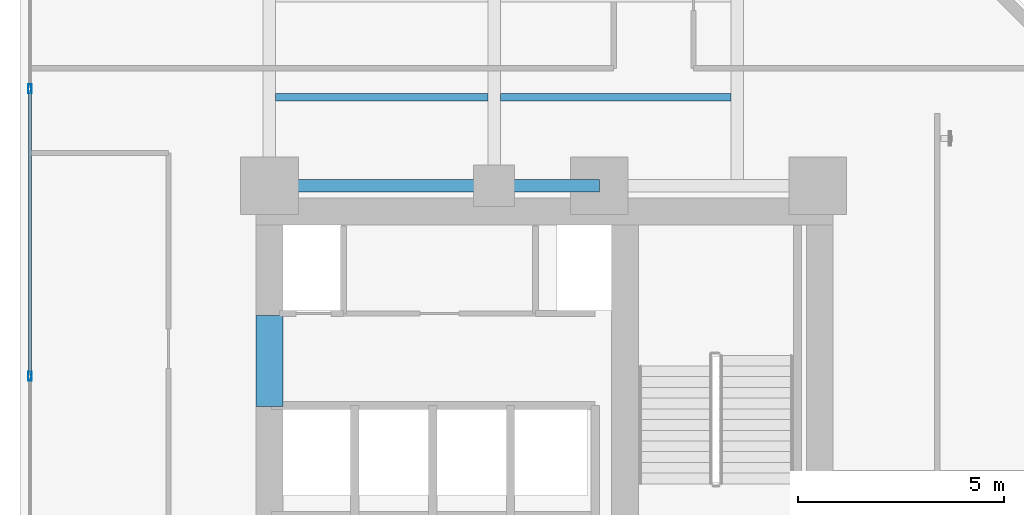
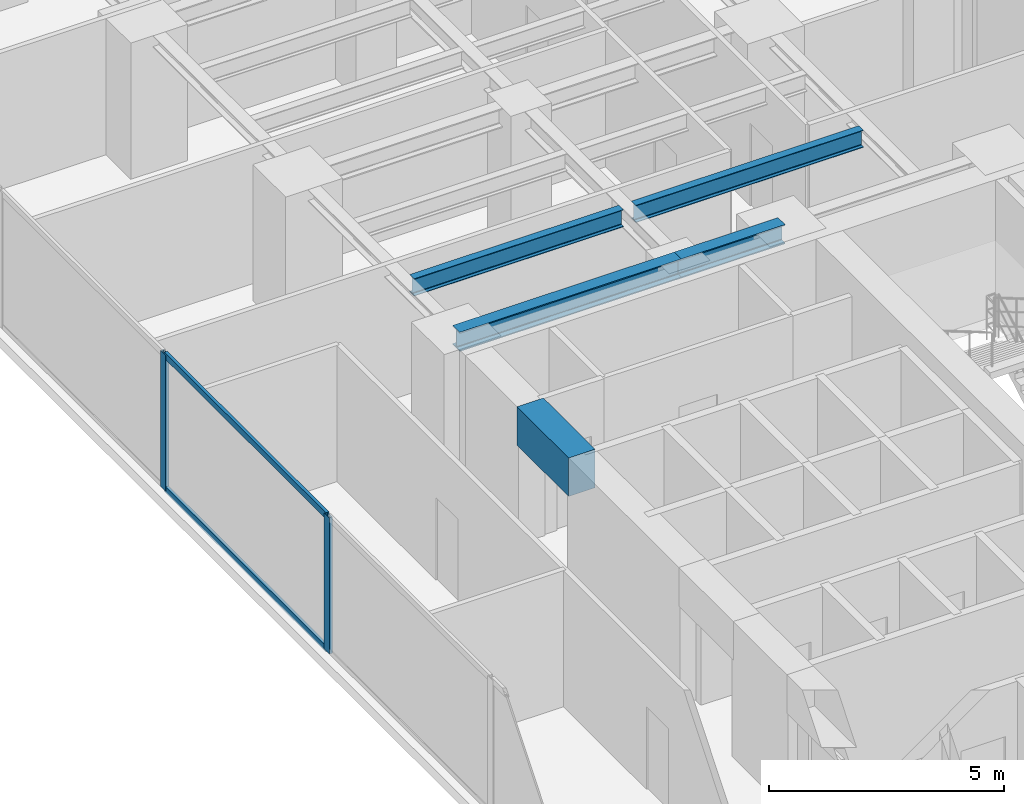
# One storey, part 6 of 24: 5 beams, 4 members, 1 element without a shape of its own.
"""IFC4 building model written with IfcOpenShell, lengths in metres."""

from ifc_helpers import new_model, si_unit, direction, frame, origin, origin_with_axes, origin_2d, place, context, subcontext, project, spatial, rectangle, hollow_rectangle, i_section, extrude, source, transform, mapped, material, layer, layer_set, material_profile, profile_set, type_object, element, aggregate, save


model = new_model("IFC4")

# Units and contexts
model_context = context("Model", 3, precision=1e-05, world=origin(), true_north=direction((0.0, 1.0)))
body_context = subcontext(model_context, "Body", "Model", "MODEL_VIEW")
ifc_project = project(units=[si_unit("LENGTHUNIT", "METRE"), si_unit("AREAUNIT", "SQUARE_METRE"), si_unit("VOLUMEUNIT", "CUBIC_METRE"), si_unit("PLANEANGLEUNIT", "RADIAN"), si_unit("MASSUNIT", "GRAM", prefix="KILO")], contexts=[model_context])

# Site, building, storey
site_placement = place(None, origin())
site = spatial("IfcSite", under=ifc_project, at=site_placement, CompositionType="ELEMENT")
building_placement = place(site_placement, origin())
building = spatial("IfcBuilding", under=site, at=building_placement, Name="Kolvaren Waterfront Exchange", CompositionType="ELEMENT")
storey_placement = place(building_placement, frame((0.0, 0.0, 95.5)))
storey = spatial("IfcBuildingStorey", under=building, at=storey_placement, Name="L24", CompositionType="ELEMENT", Elevation=95.5)

# Beams
ifc_material_1 = material(Name="Steel S355", Category="steel")
ifc_material_profile_1 = material_profile(ifc_material_1, i_section(OverallWidth=0.300048828125, OverallDepth=0.5, WebThickness=0.014404296875, FlangeThickness=0.028076171875, FilletRadius=0.027099609375, at=origin_2d()), Name="HEB500")
ifc_profile_set_1 = profile_set([ifc_material_profile_1], Name="Steel S355")
beam_type_1 = type_object("IfcBeamType", Name="STR-BM-HEB500", PredefinedType="BEAM", material=ifc_profile_set_1)
beam_1_placement = place(storey_placement, frame((7.449951171875, 24.449951171875, 3.2900390625), z_axis=(1.0, 0.0, 0.0), x_axis=(0.0, 1.0, 0.0)))
element("IfcBeam", 1, at=beam_1_placement, inside=storey, type_object=beam_type_1, Name="L24 north-arm girder 1A", PredefinedType="BEAM", context=body_context, shape_type="SweptSolid", body=[
    extrude(i_section(OverallWidth=0.300048828125, OverallDepth=0.5, WebThickness=0.014404296875, FlangeThickness=0.028076171875, FilletRadius=0.027099609375, at=origin_2d()), origin(), (0.0, 0.0, 1.0), 5.449951171875),
])
beam_2_placement = place(storey_placement, frame((12.89990234375, 24.449951171875, 3.2900390625), z_axis=(1.0, 0.0, 0.0), x_axis=(0.0, 1.0, 0.0)))
element("IfcBeam", 2, at=beam_2_placement, inside=storey, type_object=beam_type_1, Name="L24 north-arm girder 1B", PredefinedType="BEAM", context=body_context, shape_type="SweptSolid", body=[
    extrude(i_section(OverallWidth=0.300048828125, OverallDepth=0.5, WebThickness=0.014404296875, FlangeThickness=0.028076171875, FilletRadius=0.027099609375, at=origin_2d()), origin(), (0.0, 0.0, 1.0), 2.550048828125),
])
ifc_material_profile_2 = material_profile(ifc_material_1, i_section(OverallWidth=0.18994140625, OverallDepth=0.449951171875, WebThickness=0.009521484375, FlangeThickness=0.0146484375, FilletRadius=0.02099609375, at=origin_2d()), Name="IPE450")
ifc_profile_set_2 = profile_set([ifc_material_profile_2], Name="Steel S355")
beam_type_2 = type_object("IfcBeamType", Name="STR-BM-IPE450", PredefinedType="JOIST", material=ifc_profile_set_2)
beam_3_placement = place(storey_placement, frame((7.60205078125, 26.60009765625, 3.31494140625), z_axis=(1.0, 0.0, 0.0), x_axis=(0.0, 1.0, 0.0)))
element("IfcBeam", 3, at=beam_3_placement, inside=storey, type_object=beam_type_2, Name="L24 north-arm composite joist 1A", PredefinedType="JOIST", context=body_context, shape_type="SweptSolid", body=[
    extrude(i_section(OverallWidth=0.18994140625, OverallDepth=0.449951171875, WebThickness=0.009521484375, FlangeThickness=0.0146484375, FilletRadius=0.02099609375, at=origin_2d()), origin(), (0.0, 0.0, 1.0), 5.14599609375),
])
beam_4_placement = place(storey_placement, frame((13.052001953125, 26.60009765625, 3.31494140625), z_axis=(1.0, 0.0, 0.0), x_axis=(0.0, 1.0, 0.0)))
element("IfcBeam", 4, at=beam_4_placement, inside=storey, type_object=beam_type_2, Name="L24 north-arm composite joist 1B", PredefinedType="JOIST", context=body_context, shape_type="SweptSolid", body=[
    extrude(i_section(OverallWidth=0.18994140625, OverallDepth=0.449951171875, WebThickness=0.009521484375, FlangeThickness=0.0146484375, FilletRadius=0.02099609375, at=origin_2d()), origin(), (0.0, 0.0, 1.0), 5.595947265625),
])
ifc_material_2 = material(Name="Concrete C60/75", Category="concrete")
ifc_material_profile_3 = material_profile(ifc_material_2, rectangle(XDim=0.64990234375, YDim=1.0, at=origin_2d()), Name="RC-CB-1000x650")
ifc_profile_set_3 = profile_set([ifc_material_profile_3], Name="Concrete C60/75")
beam_type_3 = type_object("IfcBeamType", Name="STR-CB-1000", PredefinedType="SPANDREL", material=ifc_profile_set_3)
beam_5_placement = place(storey_placement, frame((7.449951171875, 19.10009765625, 3.0400390625), z_axis=(0.0, 1.0, 0.0), x_axis=(-1.0, 0.0, 0.0)))
element("IfcBeam", 5, at=beam_5_placement, inside=storey, type_object=beam_type_3, Name="L24 core coupling beam 5", PredefinedType="SPANDREL", context=body_context, shape_type="SweptSolid", body=[
    extrude(rectangle(XDim=0.64990234375, YDim=1.0, at=origin_2d()), origin(), (0.0, 0.0, 1.0), 2.199951171875),
])

# Curtain wall, members
ifc_material_3 = material(Name="Anodised aluminium 6063-T6", Category="aluminium")
ifc_layer = layer(ifc_material_3, 0.219970703125, Name="Anodised aluminium 6063-T6")
ifc_layer_set = layer_set([ifc_layer], Name="Anodised aluminium 6063-T6")
curtain_wall_type = type_object("IfcCurtainWallType", Name="ARC-CW-SYS2", PredefinedType="USERDEFINED", material=ifc_layer_set)
curtain_wall_placement = place(storey_placement, origin())
curtain_wall = element("IfcCurtainWall", 6, at=curtain_wall_placement, inside=storey, type_object=curtain_wall_type, Name="L24 stick curtain wall CW2 (CW-L24-W)", ObjectType="STICK CURTAIN WALL", PredefinedType="USERDEFINED")
ifc_material_profile_4 = material_profile(ifc_material_3, hollow_rectangle(XDim=0.080078125, YDim=0.219970703125, WallThickness=0.0048828125, at=origin_2d()), Name="ALU-MUL-220x80x5")
ifc_profile_set_4 = profile_set([ifc_material_profile_4], Name="Anodised aluminium 6063-T6")
member_type_1 = type_object("IfcMemberType", Name="ARC-CWM-220", PredefinedType="MULLION", material=ifc_profile_set_4)
shared_shape_1 = source(origin_with_axes(), body_context, "Body", "SweptSolid", [
    extrude(hollow_rectangle(XDim=0.080078125, YDim=0.219970703125, WallThickness=0.0048828125, at=origin_2d()), origin(), (0.0, 0.0, 1.0), 3.5400390625),
])
member_1_placement = place(storey_placement, frame((1.639892578125, 19.833251953125, 0.0), z_axis=(0.0, 0.0, 1.0), x_axis=(-1.0, 0.0, 0.0)))
member_1 = element("IfcMember", 7, at=member_1_placement, type_object=member_type_1, Name="CW2 mullion 3", PredefinedType="MULLION", context=body_context, shape_type="MappedRepresentation", body=[
    mapped(shared_shape_1, transform((0.0, 0.0, 0.0), x_axis=(1.0, 0.0, 0.0), y_axis=(0.0, 1.0, 0.0), z_axis=(0.0, 0.0, 1.0), scale=1.0)),
])
member_2_placement = place(storey_placement, frame((1.639892578125, 26.800048828125, 0.0), z_axis=(0.0, 0.0, 1.0), x_axis=(-1.0, 0.0, 0.0)))
member_2 = element("IfcMember", 8, at=member_2_placement, type_object=member_type_1, Name="CW2 mullion 4", PredefinedType="MULLION", context=body_context, shape_type="MappedRepresentation", body=[
    mapped(shared_shape_1, transform((0.0, 0.0, 0.0), x_axis=(1.0, 0.0, 0.0), y_axis=(0.0, 1.0, 0.0), z_axis=(0.0, 0.0, 1.0), scale=1.0)),
])
ifc_material_profile_5 = material_profile(ifc_material_3, hollow_rectangle(XDim=0.074951171875, YDim=0.159912109375, WallThickness=0.00439453125, at=origin_2d()), Name="ALU-TRN-160x75x4.5")
ifc_profile_set_5 = profile_set([ifc_material_profile_5], Name="Anodised aluminium 6063-T6")
member_type_2 = type_object("IfcMemberType", Name="ARC-CWT-160", PredefinedType="USERDEFINED", material=ifc_profile_set_5)
shared_shape_2 = source(origin_with_axes(), body_context, "Body", "SweptSolid", [
    extrude(hollow_rectangle(XDim=0.074951171875, YDim=0.159912109375, WallThickness=0.00439453125, at=origin_2d()), origin(), (0.0, 0.0, 1.0), 6.88671875),
])
member_3_placement = place(storey_placement, frame((1.639892578125, 19.873291015625, 0.03759765625), z_axis=(0.0, 1.0, 0.0), x_axis=(-1.0, 0.0, 0.0)))
member_3 = element("IfcMember", 9, at=member_3_placement, type_object=member_type_2, Name="CW2 transom 3.1", ObjectType="TRANSOM", PredefinedType="USERDEFINED", context=body_context, shape_type="MappedRepresentation", body=[
    mapped(shared_shape_2, transform((0.0, 0.0, 0.0), x_axis=(1.0, 0.0, 0.0), y_axis=(0.0, 1.0, 0.0), z_axis=(0.0, 0.0, 1.0), scale=1.0)),
])
member_4_placement = place(storey_placement, frame((1.639892578125, 19.873291015625, 3.50244140625), z_axis=(0.0, 1.0, 0.0), x_axis=(-1.0, 0.0, 0.0)))
member_4 = element("IfcMember", 10, at=member_4_placement, type_object=member_type_2, Name="CW2 transom 3.2", ObjectType="TRANSOM", PredefinedType="USERDEFINED", context=body_context, shape_type="MappedRepresentation", body=[
    mapped(shared_shape_2, transform((0.0, 0.0, 0.0), x_axis=(1.0, 0.0, 0.0), y_axis=(0.0, 1.0, 0.0), z_axis=(0.0, 0.0, 1.0), scale=1.0)),
])
aggregate(curtain_wall, [member_1, member_2, member_3, member_4])

save(model, "model.ifc")
